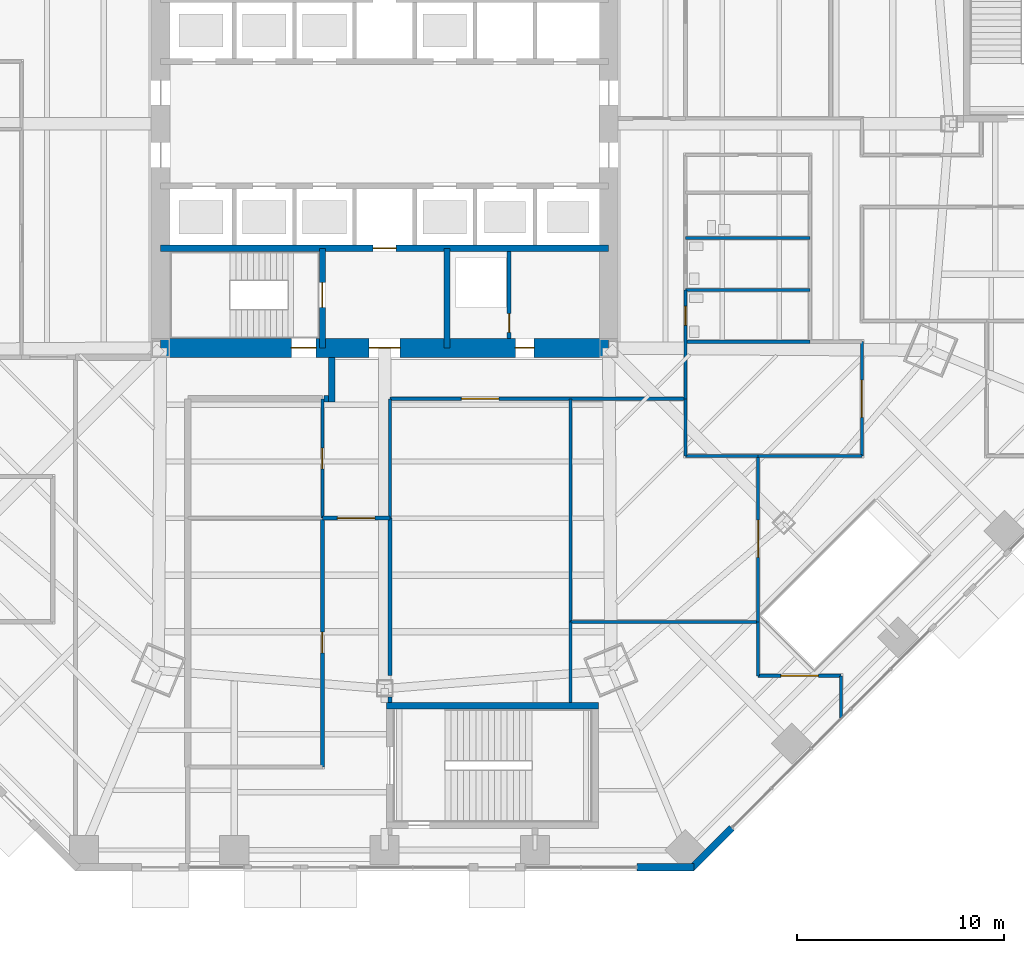
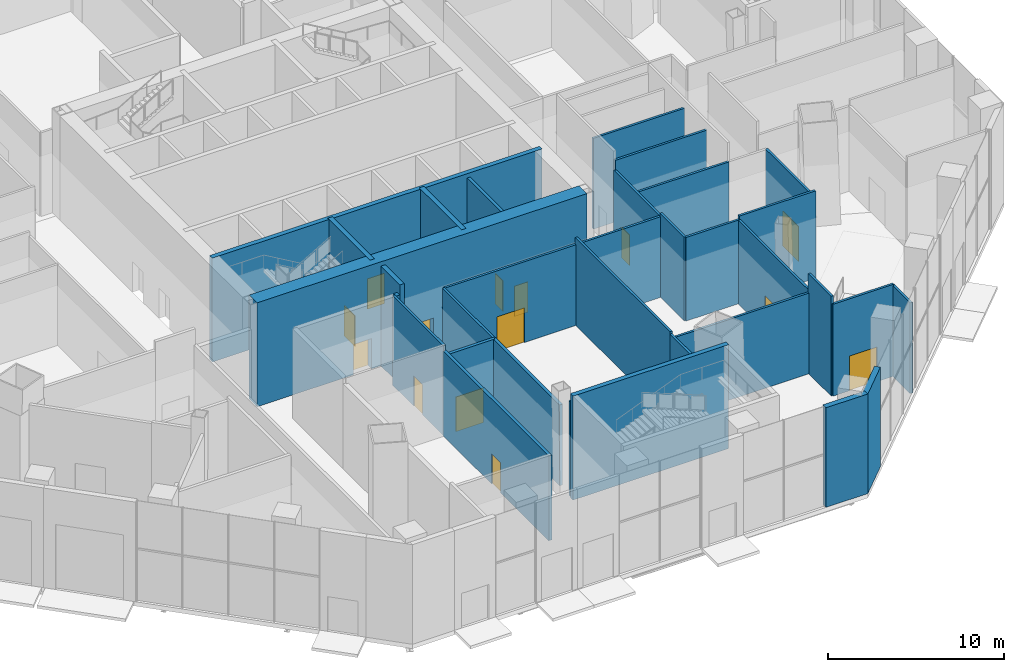
# One storey, part 20 of 35: 32 walls, 14 doors, 14 openings.
"""IFC4 building model written with IfcOpenShell, lengths in metres."""

from ifc_helpers import new_model, si_unit, direction, frame, frame_2d, origin, place, context, subcontext, project, spatial, rectangle, extrude, material, layer, layer_set, type_object, element, fill, save


model = new_model("IFC4")

# Units and contexts
model_context = context("Model", 3, precision=1e-05, world=origin(), true_north=direction((0.0, 1.0)))
body_context = subcontext(model_context, "Body", "Model", "MODEL_VIEW")
ifc_project = project(units=[si_unit("LENGTHUNIT", "METRE"), si_unit("AREAUNIT", "SQUARE_METRE"), si_unit("VOLUMEUNIT", "CUBIC_METRE"), si_unit("PLANEANGLEUNIT", "RADIAN"), si_unit("MASSUNIT", "GRAM", prefix="KILO")], contexts=[model_context])

# Site, building, storey
site_placement = place(None, origin())
site = spatial("IfcSite", under=ifc_project, at=site_placement, CompositionType="ELEMENT")
building_placement = place(site_placement, origin())
building = spatial("IfcBuilding", under=site, at=building_placement, Name="Mashrafa Tower", CompositionType="ELEMENT")
storey_placement = place(building_placement, origin())
storey = spatial("IfcBuildingStorey", under=building, at=storey_placement, Name="L00", CompositionType="ELEMENT", Elevation=0.0)

# Wall, opening, door
ifc_material_1 = material(Name="Concrete masonry unit", Category="masonry")
ifc_layer_1 = layer(ifc_material_1, 0.199951171875)
ifc_layer_set_1 = layer_set([ifc_layer_1], Name="Blockwork wall 200 2 hr")
wall_type_1 = type_object("IfcWallType", Name="Blockwork wall 200 2 hr", PredefinedType="PARTITIONING", material=ifc_layer_set_1)
wall_1_placement = place(storey_placement, frame((6.0, -10.35009765625, 0.0), z_axis=(0.0, 0.0, 1.0), x_axis=(0.0, 1.0, 0.0)))
wall_1 = element("IfcWall", 1, at=wall_1_placement, inside=storey, type_object=wall_type_1, Name="Riser enclosure wall L00", PredefinedType="PARTITIONING", context=body_context, shape_type="SweptSolid", body=[
    extrude(rectangle(XDim=4.2001953125, YDim=0.199951171875, at=frame_2d((2.10009765625, 0.0))), origin(), (0.0, 0.0, 1.0), 6.89990234375),
])
opening_1_placement = place(wall_1_placement, frame((0.300048828125, 0.0, 0.0)))
opening_1 = element("IfcOpeningElement", 2, at=opening_1_placement, cuts=wall_1, Name="Opening 00.044", PredefinedType="OPENING", context=body_context, shape_type="SweptSolid", body=[
    extrude(rectangle(XDim=0.89990234375, YDim=2.10009765625, at=frame_2d((0.449951171875, 1.050048828125))), frame((0.0, 0.10986328125, 0.0), z_axis=(0.0, -1.0, 0.0), x_axis=(1.0, 0.0, 0.0)), (0.0, 0.0, 1.0), 0.219970703125),
])
ifc_material_2 = material(Name="Steel door", Category="steel")
door_type_1 = type_object("IfcDoorType", Name="Service door 900 x 2100 90 min", OperationType="USERDEFINED", PredefinedType="DOOR", material=ifc_material_2)
door_1_placement = place(opening_1_placement, origin())
door_1 = element("IfcDoor", 3, at=door_1_placement, inside=storey, type_object=door_type_1, Name="Riser door L00", OperationType="SINGLE_SWING_LEFT", OverallHeight=2.10009765625, OverallWidth=0.89990234375, PredefinedType="DOOR", context=body_context, shape_type="SweptSolid", body=[
    extrude(rectangle(XDim=0.89990234375, YDim=2.10009765625, at=frame_2d((0.449951171875, 1.050048828125))), frame((0.0, 0.02490234375, 0.0), z_axis=(0.0, -1.0, 0.0), x_axis=(1.0, 0.0, 0.0)), (0.0, 0.0, 1.0), 0.050048828125),
])
fill(opening_1, door_1)

ifc_material_3 = material(Name="Concrete C60/75", Category="concrete")
ifc_layer_2 = layer(ifc_material_3, 0.300048828125)
ifc_layer_set_2 = layer_set([ifc_layer_2], Name="Core wall 300 C60/75")
wall_type_2 = type_object("IfcWallType", Name="Core wall 300 C60/75", PredefinedType="SOLIDWALL", material=ifc_layer_set_2)
wall_2_placement = place(storey_placement, frame((-10.800048828125, -6.0, 0.0), z_axis=(0.0, 0.0, 1.0), x_axis=(1.0, 0.0, 0.0)))
wall_2 = element("IfcWall", 4, at=wall_2_placement, inside=storey, type_object=wall_type_2, Name="Core wall CB-S L00", PredefinedType="SOLIDWALL", context=body_context, shape_type="SweptSolid", body=[
    extrude(rectangle(XDim=21.60009765625, YDim=0.300048828125, at=frame_2d((10.800048828125, 0.0))), origin(), (0.0, 0.0, 1.0), 7.199951171875),
])
opening_2_placement = place(wall_2_placement, frame((10.25, 0.0, 0.0)))
opening_2 = element("IfcOpeningElement", 5, at=opening_2_placement, cuts=wall_2, Name="Opening 00.F2", PredefinedType="OPENING", context=body_context, shape_type="SweptSolid", body=[
    extrude(rectangle(XDim=1.10009765625, YDim=2.10009765625, at=frame_2d((0.550048828125, 1.050048828125))), frame((0.0, 0.159912109375, 0.0), z_axis=(0.0, -1.0, 0.0), x_axis=(1.0, 0.0, 0.0)), (0.0, 0.0, 1.0), 0.320068359375),
])
ifc_material_4 = material(Name="Steel door", Category="steel")
door_type_2 = type_object("IfcDoorType", Name="Lift landing door 1100 x 2100 90 min", OperationType="DOUBLE_DOOR_SLIDING", PredefinedType="DOOR", material=ifc_material_4)
door_2_placement = place(opening_2_placement, origin())
door_2 = element("IfcDoor", 6, at=door_2_placement, inside=storey, type_object=door_type_2, Name="Lift landing door F2 L00", OperationType="DOUBLE_DOOR_SLIDING", OverallHeight=2.10009765625, OverallWidth=1.10009765625, PredefinedType="DOOR", context=body_context, shape_type="SweptSolid", body=[
    extrude(rectangle(XDim=1.10009765625, YDim=2.10009765625, at=frame_2d((0.550048828125, 1.050048828125))), frame((0.0, 0.02490234375, 0.0), z_axis=(0.0, -1.0, 0.0), x_axis=(1.0, 0.0, 0.0)), (0.0, 0.0, 1.0), 0.050048828125),
])
fill(opening_2, door_2)

wall_3_placement = place(storey_placement, frame((-3.0, -6.0, 0.0), z_axis=(0.0, 0.0, 1.0), x_axis=(0.0, -1.0, 0.0)))
wall_3 = element("IfcWall", 7, at=wall_3_placement, inside=storey, type_object=wall_type_2, Name="Core wall CX-SW L00", PredefinedType="SOLIDWALL", context=body_context, shape_type="SweptSolid", body=[
    extrude(rectangle(XDim=4.800048828125, YDim=0.300048828125, at=frame_2d((2.39990234375, 0.0))), origin(), (0.0, 0.0, 1.0), 7.199951171875),
])
opening_3_placement = place(wall_3_placement, frame((1.64990234375, 0.0, 0.0)))
opening_3 = element("IfcOpeningElement", 8, at=opening_3_placement, cuts=wall_3, Name="Opening 00.039", PredefinedType="OPENING", context=body_context, shape_type="SweptSolid", body=[
    extrude(rectangle(XDim=1.199951171875, YDim=2.10009765625, at=frame_2d((0.60009765625, 1.050048828125))), frame((0.0, 0.159912109375, 0.0), z_axis=(0.0, -1.0, 0.0), x_axis=(1.0, 0.0, 0.0)), (0.0, 0.0, 1.0), 0.320068359375),
])
ifc_material_5 = material(Name="Steel door", Category="steel")
door_type_3 = type_object("IfcDoorType", Name="Stair door 1200 x 2100 90 min", OperationType="USERDEFINED", PredefinedType="DOOR", material=ifc_material_5)
door_3_placement = place(opening_3_placement, frame((1.199951171875, 0.0, 0.0), z_axis=(0.0, 0.0, 1.0), x_axis=(-1.0, 0.0, 0.0)))
door_3 = element("IfcDoor", 9, at=door_3_placement, inside=storey, type_object=door_type_3, Name="Stair S3 door L00", OperationType="SINGLE_SWING_RIGHT", OverallHeight=2.10009765625, OverallWidth=1.199951171875, PredefinedType="DOOR", context=body_context, shape_type="SweptSolid", body=[
    extrude(rectangle(XDim=1.199951171875, YDim=2.10009765625, at=frame_2d((0.60009765625, 1.050048828125))), frame((0.0, 0.02490234375, 0.0), z_axis=(0.0, -1.0, 0.0), x_axis=(1.0, 0.0, 0.0)), (0.0, 0.0, 1.0), 0.050048828125),
])
fill(opening_3, door_3)

# Wall
wall_4_placement = place(storey_placement, frame((3.0, -6.0, 0.0), z_axis=(0.0, 0.0, 1.0), x_axis=(0.0, -1.0, 0.0)))
element("IfcWall", 10, at=wall_4_placement, inside=storey, type_object=wall_type_2, Name="Core wall CX-SE L00", PredefinedType="SOLIDWALL", context=body_context, shape_type="SweptSolid", body=[
    extrude(rectangle(XDim=4.800048828125, YDim=0.300048828125, at=frame_2d((2.39990234375, 0.0))), origin(), (0.0, 0.0, 1.0), 7.199951171875),
])

# Wall, openings, doors
ifc_material_6 = material(Name="Concrete C60/75", Category="concrete")
ifc_layer_3 = layer(ifc_material_6, 0.89990234375)
ifc_layer_set_3 = layer_set([ifc_layer_3], Name="Core wall 900 C60/75")
wall_type_3 = type_object("IfcWallType", Name="Core wall 900 C60/75", PredefinedType="SOLIDWALL", material=ifc_layer_set_3)
wall_5_placement = place(storey_placement, frame((-10.800048828125, -10.800048828125, 0.0), z_axis=(0.0, 0.0, 1.0), x_axis=(1.0, 0.0, 0.0)))
wall_5 = element("IfcWall", 11, at=wall_5_placement, inside=storey, type_object=wall_type_3, Name="Core wall CW-S L00", PredefinedType="SOLIDWALL", context=body_context, shape_type="SweptSolid", body=[
    extrude(rectangle(XDim=21.60009765625, YDim=0.89990234375, at=frame_2d((10.800048828125, 0.0))), origin(), (0.0, 0.0, 1.0), 7.199951171875),
])
opening_4_placement = place(wall_5_placement, frame((10.050048828125, 0.0, 0.0)))
opening_4 = element("IfcOpeningElement", 12, at=opening_4_placement, cuts=wall_5, Name="Opening 00.036", PredefinedType="OPENING", context=body_context, shape_type="SweptSolid", body=[
    extrude(rectangle(XDim=1.5, YDim=2.10009765625, at=frame_2d((0.75, 1.050048828125))), frame((0.0, 0.4599609375, 0.0), z_axis=(0.0, -1.0, 0.0), x_axis=(1.0, 0.0, 0.0)), (0.0, 0.0, 1.0), 0.919921875),
])
opening_5_placement = place(wall_5_placement, frame((6.300048828125, 0.0, 0.0)))
opening_5 = element("IfcOpeningElement", 13, at=opening_5_placement, cuts=wall_5, Name="Opening 00.042", PredefinedType="OPENING", context=body_context, shape_type="SweptSolid", body=[
    extrude(rectangle(XDim=1.199951171875, YDim=2.10009765625, at=frame_2d((0.60009765625, 1.050048828125))), frame((0.0, 0.4599609375, 0.0), z_axis=(0.0, -1.0, 0.0), x_axis=(1.0, 0.0, 0.0)), (0.0, 0.0, 1.0), 0.919921875),
])
opening_6_placement = place(wall_5_placement, frame((17.10009765625, 0.0, 0.0)))
opening_6 = element("IfcOpeningElement", 14, at=opening_6_placement, cuts=wall_5, Name="Opening 00.043", PredefinedType="OPENING", context=body_context, shape_type="SweptSolid", body=[
    extrude(rectangle(XDim=0.89990234375, YDim=2.10009765625, at=frame_2d((0.449951171875, 1.050048828125))), frame((0.0, 0.4599609375, 0.0), z_axis=(0.0, -1.0, 0.0), x_axis=(1.0, 0.0, 0.0)), (0.0, 0.0, 1.0), 0.919921875),
])
ifc_material_7 = material(Name="Steel door", Category="steel")
door_type_4 = type_object("IfcDoorType", Name="Lobby door pair 1500 x 2100 90 min", OperationType="DOUBLE_DOOR_SINGLE_SWING", PredefinedType="DOOR", material=ifc_material_7)
door_4_placement = place(opening_4_placement, frame((1.5, 0.0, 0.0), z_axis=(0.0, 0.0, 1.0), x_axis=(-1.0, 0.0, 0.0)))
door_4 = element("IfcDoor", 15, at=door_4_placement, inside=storey, type_object=door_type_4, Name="Fire-fighting lobby F2 door L00", OperationType="DOUBLE_DOOR_SINGLE_SWING", OverallHeight=2.10009765625, OverallWidth=1.5, PredefinedType="DOOR", context=body_context, shape_type="SweptSolid", body=[
    extrude(rectangle(XDim=1.5, YDim=2.10009765625, at=frame_2d((0.75, 1.050048828125))), frame((0.0, 0.02490234375, 0.0), z_axis=(0.0, -1.0, 0.0), x_axis=(1.0, 0.0, 0.0)), (0.0, 0.0, 1.0), 0.050048828125),
])
fill(opening_4, door_4)
door_5_placement = place(opening_6_placement, origin())
door_5 = element("IfcDoor", 16, at=door_5_placement, inside=storey, type_object=door_type_1, Name="Security Equipment Room L00 door", OperationType="SINGLE_SWING_LEFT", OverallHeight=2.10009765625, OverallWidth=0.89990234375, PredefinedType="DOOR", context=body_context, shape_type="SweptSolid", body=[
    extrude(rectangle(XDim=0.89990234375, YDim=2.10009765625, at=frame_2d((0.449951171875, 1.050048828125))), frame((0.0, 0.02490234375, 0.0), z_axis=(0.0, -1.0, 0.0), x_axis=(1.0, 0.0, 0.0)), (0.0, 0.0, 1.0), 0.050048828125),
])
fill(opening_6, door_5)
door_6_placement = place(opening_5_placement, origin())
door_6 = element("IfcDoor", 17, at=door_6_placement, inside=storey, type_object=door_type_3, Name="Stair S3 exit passage door L00", OperationType="SINGLE_SWING_RIGHT", OverallHeight=2.10009765625, OverallWidth=1.199951171875, PredefinedType="DOOR", context=body_context, shape_type="SweptSolid", body=[
    extrude(rectangle(XDim=1.199951171875, YDim=2.10009765625, at=frame_2d((0.60009765625, 1.050048828125))), frame((0.0, 0.02490234375, 0.0), z_axis=(0.0, -1.0, 0.0), x_axis=(1.0, 0.0, 0.0)), (0.0, 0.0, 1.0), 0.050048828125),
])
fill(opening_5, door_6)

# Wall, opening, door
ifc_material_8 = material(Name="Gypsum board on steel studs", Category="steel")
ifc_layer_4 = layer(ifc_material_8, 0.14990234375)
ifc_layer_set_4 = layer_set([ifc_layer_4], Name="Corridor partition 150 1 hr")
wall_type_4 = type_object("IfcWallType", Name="Corridor partition 150 1 hr", PredefinedType="PARTITIONING", material=ifc_layer_set_4)
wall_6_placement = place(storey_placement, frame((14.5, -8.0, 0.0), z_axis=(0.0, 0.0, 1.0), x_axis=(0.0, -1.0, 0.0)))
wall_6 = element("IfcWall", 18, at=wall_6_placement, inside=storey, type_object=wall_type_4, Name="Corridor wall L00-027", PredefinedType="PARTITIONING", context=body_context, shape_type="SweptSolid", body=[
    extrude(rectangle(XDim=5.2509765625, YDim=0.14990234375, at=frame_2d((2.62548828125, 0.0))), origin(), (0.0, 0.0, 1.0), 5.590087890625),
])
opening_7_placement = place(wall_6_placement, frame((0.800048828125, 0.0, 0.0)))
opening_7 = element("IfcOpeningElement", 19, at=opening_7_placement, cuts=wall_6, Name="Opening 00.001", PredefinedType="OPENING", context=body_context, shape_type="SweptSolid", body=[
    extrude(rectangle(XDim=0.89990234375, YDim=2.10009765625, at=frame_2d((0.449951171875, 1.050048828125))), frame((0.0, 0.0849609375, 0.0), z_axis=(0.0, -1.0, 0.0), x_axis=(1.0, 0.0, 0.0)), (0.0, 0.0, 1.0), 0.169921875),
])
ifc_material_9 = material(Name="Timber door", Category="wood")
door_type_5 = type_object("IfcDoorType", Name="Toilet door 900 x 2100", OperationType="USERDEFINED", PredefinedType="DOOR", material=ifc_material_9)
door_7_placement = place(opening_7_placement, origin())
door_7 = element("IfcDoor", 20, at=door_7_placement, inside=storey, type_object=door_type_5, Name="WC Female L00 door", OperationType="SINGLE_SWING_RIGHT", OverallHeight=2.10009765625, OverallWidth=0.89990234375, PredefinedType="DOOR", context=body_context, shape_type="SweptSolid", body=[
    extrude(rectangle(XDim=0.89990234375, YDim=2.10009765625, at=frame_2d((0.449951171875, 1.050048828125))), frame((0.0, 0.02490234375, 0.0), z_axis=(0.0, -1.0, 0.0), x_axis=(1.0, 0.0, 0.0)), (0.0, 0.0, 1.0), 0.050048828125),
])
fill(opening_7, door_7)

wall_7_placement = place(storey_placement, frame((-3.0, -19.0, 0.0), z_axis=(0.0, 0.0, 1.0), x_axis=(0.0, 1.0, 0.0)))
wall_7 = element("IfcWall", 21, at=wall_7_placement, inside=storey, type_object=wall_type_4, Name="Corridor wall L00-064", PredefinedType="PARTITIONING", context=body_context, shape_type="SweptSolid", body=[
    extrude(rectangle(XDim=5.75, YDim=0.14990234375, at=frame_2d((2.875, 0.0))), origin(), (0.0, 0.0, 1.0), 6.2119140625),
])
opening_8_placement = place(wall_7_placement, frame((2.375, 0.0, 0.0)))
opening_8 = element("IfcOpeningElement", 22, at=opening_8_placement, cuts=wall_7, Name="Opening 00.014", PredefinedType="OPENING", context=body_context, shape_type="SweptSolid", body=[
    extrude(rectangle(XDim=1.0, YDim=2.10009765625, at=frame_2d((0.5, 1.050048828125))), frame((0.0, 0.0849609375, 0.0), z_axis=(0.0, -1.0, 0.0), x_axis=(1.0, 0.0, 0.0)), (0.0, 0.0, 1.0), 0.169921875),
])
ifc_material_10 = material(Name="Timber door", Category="wood")
door_type_6 = type_object("IfcDoorType", Name="Door 1000 x 2100", OperationType="USERDEFINED", PredefinedType="DOOR", material=ifc_material_10)
door_8_placement = place(opening_8_placement, origin())
door_8 = element("IfcDoor", 23, at=door_8_placement, inside=storey, type_object=door_type_6, Name="Residents' Mail Room L00 door", OperationType="SINGLE_SWING_LEFT", OverallHeight=2.10009765625, OverallWidth=1.0, PredefinedType="DOOR", context=body_context, shape_type="SweptSolid", body=[
    extrude(rectangle(XDim=1.0, YDim=2.10009765625, at=frame_2d((0.5, 1.050048828125))), frame((0.0, 0.02490234375, 0.0), z_axis=(0.0, -1.0, 0.0), x_axis=(1.0, 0.0, 0.0)), (0.0, 0.0, 1.0), 0.050048828125),
])
fill(opening_8, door_8)

wall_8_placement = place(storey_placement, frame((0.25, -13.25, 0.0), z_axis=(0.0, 0.0, 1.0), x_axis=(1.0, 0.0, 0.0)))
wall_8 = element("IfcWall", 24, at=wall_8_placement, inside=storey, type_object=wall_type_4, Name="Corridor wall L00-093", PredefinedType="PARTITIONING", context=body_context, shape_type="SweptSolid", body=[
    extrude(rectangle(XDim=14.25, YDim=0.14990234375, at=frame_2d((7.125, 0.0))), origin(), (0.0, 0.0, 1.0), 5.590087890625),
])
opening_9_placement = place(wall_8_placement, frame((3.449951171875, 0.0, 0.0)))
opening_9 = element("IfcOpeningElement", 25, at=opening_9_placement, cuts=wall_8, Name="Opening 00.021", PredefinedType="OPENING", context=body_context, shape_type="SweptSolid", body=[
    extrude(rectangle(XDim=1.800048828125, YDim=2.39990234375, at=frame_2d((0.89990234375, 1.199951171875))), frame((0.0, 0.0849609375, 0.0), z_axis=(0.0, -1.0, 0.0), x_axis=(1.0, 0.0, 0.0)), (0.0, 0.0, 1.0), 0.169921875),
])
ifc_material_11 = material(Name="Timber door", Category="wood")
door_type_7 = type_object("IfcDoorType", Name="Door pair 1800 x 2400", OperationType="DOUBLE_DOOR_SINGLE_SWING", PredefinedType="DOOR", material=ifc_material_11)
door_9_placement = place(opening_9_placement, frame((1.800048828125, 0.0, 0.0), z_axis=(0.0, 0.0, 1.0), x_axis=(-1.0, 0.0, 0.0)))
door_9 = element("IfcDoor", 26, at=door_9_placement, inside=storey, type_object=door_type_7, Name="Bank Branch L00 door", OperationType="DOUBLE_DOOR_SINGLE_SWING", OverallHeight=2.39990234375, OverallWidth=1.800048828125, PredefinedType="DOOR", context=body_context, shape_type="SweptSolid", body=[
    extrude(rectangle(XDim=1.800048828125, YDim=2.39990234375, at=frame_2d((0.89990234375, 1.199951171875))), frame((0.0, 0.02490234375, 0.0), z_axis=(0.0, -1.0, 0.0), x_axis=(1.0, 0.0, 0.0)), (0.0, 0.0, 1.0), 0.050048828125),
])
fill(opening_9, door_9)

# Walls
wall_9_placement = place(storey_placement, frame((0.25, -13.25, 0.0), z_axis=(0.0, 0.0, 1.0), x_axis=(0.0, -1.0, 0.0)))
element("IfcWall", 27, at=wall_9_placement, inside=storey, type_object=wall_type_4, Name="Corridor wall L00-094", PredefinedType="PARTITIONING", context=body_context, shape_type="SweptSolid", body=[
    extrude(rectangle(XDim=5.7509765625, YDim=0.14990234375, at=frame_2d((2.87548828125, 0.0))), origin(), (0.0, 0.0, 1.0), 5.590087890625),
])
wall_10_placement = place(storey_placement, frame((22.0, -28.640380859375, 0.0), z_axis=(0.0, 0.0, 1.0), x_axis=(0.0, 1.0, 0.0)))
element("IfcWall", 28, at=wall_10_placement, inside=storey, type_object=wall_type_4, Name="Corridor wall L00-096", PredefinedType="PARTITIONING", context=body_context, shape_type="SweptSolid", body=[
    extrude(rectangle(XDim=2.040283203125, YDim=0.14990234375, at=frame_2d((1.02001953125, 0.0))), origin(), (0.0, 0.0, 1.0), 6.29052734375),
])

# Wall, opening, door
wall_11_placement = place(storey_placement, frame((22.0, -26.60009765625, 0.0), z_axis=(0.0, 0.0, 1.0), x_axis=(-1.0, 0.0, 0.0)))
wall_11 = element("IfcWall", 29, at=wall_11_placement, inside=storey, type_object=wall_type_4, Name="Corridor wall L00-097", PredefinedType="PARTITIONING", context=body_context, shape_type="SweptSolid", body=[
    extrude(rectangle(XDim=4.0, YDim=0.14990234375, at=frame_2d((2.0, 0.0))), origin(), (0.0, 0.0, 1.0), 6.3642578125),
])
opening_10_placement = place(wall_11_placement, frame((1.10009765625, 0.0, 0.0)))
opening_10 = element("IfcOpeningElement", 30, at=opening_10_placement, cuts=wall_11, Name="Opening 00.022", PredefinedType="OPENING", context=body_context, shape_type="SweptSolid", body=[
    extrude(rectangle(XDim=1.800048828125, YDim=2.39990234375, at=frame_2d((0.89990234375, 1.199951171875))), frame((0.0, 0.0849609375, 0.0), z_axis=(0.0, -1.0, 0.0), x_axis=(1.0, 0.0, 0.0)), (0.0, 0.0, 1.0), 0.169921875),
])
door_10_placement = place(opening_10_placement, frame((1.800048828125, 0.0, 0.0), z_axis=(0.0, 0.0, 1.0), x_axis=(-1.0, 0.0, 0.0)))
door_10 = element("IfcDoor", 31, at=door_10_placement, inside=storey, type_object=door_type_7, Name="Cafe L00 door", OperationType="DOUBLE_DOOR_SINGLE_SWING", OverallHeight=2.39990234375, OverallWidth=1.800048828125, PredefinedType="DOOR", context=body_context, shape_type="SweptSolid", body=[
    extrude(rectangle(XDim=1.800048828125, YDim=2.39990234375, at=frame_2d((0.89990234375, 1.199951171875))), frame((0.0, 0.02490234375, 0.0), z_axis=(0.0, -1.0, 0.0), x_axis=(1.0, 0.0, 0.0)), (0.0, 0.0, 1.0), 0.050048828125),
])
fill(opening_10, door_10)

# Wall
wall_12_placement = place(storey_placement, frame((18.0, -26.60009765625, 0.0), z_axis=(0.0, 0.0, 1.0), x_axis=(0.0, 1.0, 0.0)))
element("IfcWall", 32, at=wall_12_placement, inside=storey, type_object=wall_type_4, Name="Corridor wall L00-098", PredefinedType="PARTITIONING", context=body_context, shape_type="SweptSolid", body=[
    extrude(rectangle(XDim=2.60009765625, YDim=0.14990234375, at=frame_2d((1.300048828125, 0.0))), origin(), (0.0, 0.0, 1.0), 6.89990234375),
])

# Wall, opening, door
wall_13_placement = place(storey_placement, frame((18.0, -24.0, 0.0), z_axis=(0.0, 0.0, 1.0), x_axis=(0.0, 1.0, 0.0)))
wall_13 = element("IfcWall", 33, at=wall_13_placement, inside=storey, type_object=wall_type_4, Name="Corridor wall L00-102", PredefinedType="PARTITIONING", context=body_context, shape_type="SweptSolid", body=[
    extrude(rectangle(XDim=8.0, YDim=0.14990234375, at=frame_2d((4.0, 0.0))), origin(), (0.0, 0.0, 1.0), 5.7900390625),
])
opening_11_placement = place(wall_13_placement, frame((3.10009765625, 0.0, 0.0)))
opening_11 = element("IfcOpeningElement", 34, at=opening_11_placement, cuts=wall_13, Name="Opening 00.023", PredefinedType="OPENING", context=body_context, shape_type="SweptSolid", body=[
    extrude(rectangle(XDim=1.800048828125, YDim=2.39990234375, at=frame_2d((0.89990234375, 1.199951171875))), frame((0.0, 0.0849609375, 0.0), z_axis=(0.0, -1.0, 0.0), x_axis=(1.0, 0.0, 0.0)), (0.0, 0.0, 1.0), 0.169921875),
])
door_11_placement = place(opening_11_placement, origin())
door_11 = element("IfcDoor", 35, at=door_11_placement, inside=storey, type_object=door_type_7, Name="Retail Unit 004 door", OperationType="DOUBLE_DOOR_SINGLE_SWING", OverallHeight=2.39990234375, OverallWidth=1.800048828125, PredefinedType="DOOR", context=body_context, shape_type="SweptSolid", body=[
    extrude(rectangle(XDim=1.800048828125, YDim=2.39990234375, at=frame_2d((0.89990234375, 1.199951171875))), frame((0.0, 0.02490234375, 0.0), z_axis=(0.0, -1.0, 0.0), x_axis=(1.0, 0.0, 0.0)), (0.0, 0.0, 1.0), 0.050048828125),
])
fill(opening_11, door_11)

# Wall
wall_14_placement = place(storey_placement, frame((17.9990234375, -16.0, 0.0), z_axis=(0.0, 0.0, 1.0), x_axis=(1.0, 0.0, 0.0)))
element("IfcWall", 36, at=wall_14_placement, inside=storey, type_object=wall_type_4, Name="Corridor wall L00-104", PredefinedType="PARTITIONING", context=body_context, shape_type="SweptSolid", body=[
    extrude(rectangle(XDim=5.0009765625, YDim=0.14990234375, at=frame_2d((2.50048828125, 0.0))), origin(), (0.0, 0.0, 1.0), 6.04931640625),
])

# Wall, opening, door
wall_15_placement = place(storey_placement, frame((23.0, -16.0, 0.0), z_axis=(0.0, 0.0, 1.0), x_axis=(0.0, 1.0, 0.0)))
wall_15 = element("IfcWall", 37, at=wall_15_placement, inside=storey, type_object=wall_type_4, Name="Corridor wall L00-105", PredefinedType="PARTITIONING", context=body_context, shape_type="SweptSolid", body=[
    extrude(rectangle(XDim=5.5, YDim=0.14990234375, at=frame_2d((2.75, 0.0))), origin(), (0.0, 0.0, 1.0), 5.590087890625),
])
opening_12_placement = place(wall_15_placement, frame((1.85009765625, 0.0, 0.0)))
opening_12 = element("IfcOpeningElement", 38, at=opening_12_placement, cuts=wall_15, Name="Opening 00.024", PredefinedType="OPENING", context=body_context, shape_type="SweptSolid", body=[
    extrude(rectangle(XDim=1.800048828125, YDim=2.39990234375, at=frame_2d((0.89990234375, 1.199951171875))), frame((0.0, 0.0849609375, 0.0), z_axis=(0.0, -1.0, 0.0), x_axis=(1.0, 0.0, 0.0)), (0.0, 0.0, 1.0), 0.169921875),
])
door_12_placement = place(opening_12_placement, origin())
door_12 = element("IfcDoor", 39, at=door_12_placement, inside=storey, type_object=door_type_7, Name="Retail Unit 005 door", OperationType="DOUBLE_DOOR_SINGLE_SWING", OverallHeight=2.39990234375, OverallWidth=1.800048828125, PredefinedType="DOOR", context=body_context, shape_type="SweptSolid", body=[
    extrude(rectangle(XDim=1.800048828125, YDim=2.39990234375, at=frame_2d((0.89990234375, 1.199951171875))), frame((0.0, 0.02490234375, 0.0), z_axis=(0.0, -1.0, 0.0), x_axis=(1.0, 0.0, 0.0)), (0.0, 0.0, 1.0), 0.050048828125),
])
fill(opening_12, door_12)

# Walls
ifc_material_12 = material(Name="Concrete masonry unit", Category="masonry")
ifc_layer_5 = layer(ifc_material_12, 0.199951171875)
ifc_layer_set_5 = layer_set([ifc_layer_5], Name="Fire barrier wall 200 1 hr")
wall_type_5 = type_object("IfcWallType", Name="Fire barrier wall 200 1 hr", PredefinedType="PARTITIONING", material=ifc_layer_set_5)
wall_16_placement = place(storey_placement, frame((0.25, -18.9990234375, 0.0), z_axis=(0.0, 0.0, 1.0), x_axis=(0.0, -1.0, 0.0)))
element("IfcWall", 40, at=wall_16_placement, inside=storey, type_object=wall_type_5, Name="Fire wall L00-091", PredefinedType="PARTITIONING", context=body_context, shape_type="SweptSolid", body=[
    extrude(rectangle(XDim=7.5927734375, YDim=0.199951171875, at=frame_2d((3.79638671875, 0.0))), origin(), (0.0, 0.0, 1.0), 5.590087890625),
])
wall_17_placement = place(storey_placement, frame((0.25, -27.6337890625, 0.0), z_axis=(0.0, 0.0, 1.0), x_axis=(0.0, -1.0, 0.0)))
element("IfcWall", 41, at=wall_17_placement, inside=storey, type_object=wall_type_5, Name="Fire wall L00-092", PredefinedType="PARTITIONING", context=body_context, shape_type="SweptSolid", body=[
    extrude(rectangle(XDim=0.2666015625, YDim=0.199951171875, at=frame_2d((0.13330078125, 0.0))), origin(), (0.0, 0.0, 1.0), 6.534423828125),
])

# Wall, opening, door
wall_18_placement = place(storey_placement, frame((-3.0, -31.0, 0.0), z_axis=(0.0, 0.0, 1.0), x_axis=(0.0, 1.0, 0.0)))
wall_18 = element("IfcWall", 42, at=wall_18_placement, inside=storey, type_object=wall_type_5, Name="Fire wall L00-111", PredefinedType="PARTITIONING", context=body_context, shape_type="SweptSolid", body=[
    extrude(rectangle(XDim=12.0, YDim=0.199951171875, at=frame_2d((6.0, 0.0))), origin(), (0.0, 0.0, 1.0), 5.879150390625),
])
opening_13_placement = place(wall_18_placement, frame((5.5, 0.0, 0.0)))
opening_13 = element("IfcOpeningElement", 43, at=opening_13_placement, cuts=wall_18, Name="Opening 00.026", PredefinedType="OPENING", context=body_context, shape_type="SweptSolid", body=[
    extrude(rectangle(XDim=1.0, YDim=2.10009765625, at=frame_2d((0.5, 1.050048828125))), frame((0.0, 0.10986328125, 0.0), z_axis=(0.0, -1.0, 0.0), x_axis=(1.0, 0.0, 0.0)), (0.0, 0.0, 1.0), 0.219970703125),
])
door_13_placement = place(opening_13_placement, origin())
door_13 = element("IfcDoor", 44, at=door_13_placement, inside=storey, type_object=door_type_6, Name="Residents' Concierge Room L00 door", OperationType="SINGLE_SWING_LEFT", OverallHeight=2.10009765625, OverallWidth=1.0, PredefinedType="DOOR", context=body_context, shape_type="SweptSolid", body=[
    extrude(rectangle(XDim=1.0, YDim=2.10009765625, at=frame_2d((0.5, 1.050048828125))), frame((0.0, 0.02490234375, 0.0), z_axis=(0.0, -1.0, 0.0), x_axis=(1.0, 0.0, 0.0)), (0.0, 0.0, 1.0), 0.050048828125),
])
fill(opening_13, door_13)

wall_19_placement = place(storey_placement, frame((0.25, -19.0, 0.0), z_axis=(0.0, 0.0, 1.0), x_axis=(-1.0, 0.0, 0.0)))
wall_19 = element("IfcWall", 45, at=wall_19_placement, inside=storey, type_object=wall_type_5, Name="Fire wall L00-116", PredefinedType="PARTITIONING", context=body_context, shape_type="SweptSolid", body=[
    extrude(rectangle(XDim=3.25, YDim=0.199951171875, at=frame_2d((1.625, 0.0))), origin(), (0.0, 0.0, 1.0), 5.590087890625),
])
opening_14_placement = place(wall_19_placement, frame((0.72509765625, 0.0, 0.0)))
opening_14 = element("IfcOpeningElement", 46, at=opening_14_placement, cuts=wall_19, Name="Opening 00.029", PredefinedType="OPENING", context=body_context, shape_type="SweptSolid", body=[
    extrude(rectangle(XDim=1.800048828125, YDim=2.39990234375, at=frame_2d((0.89990234375, 1.199951171875))), frame((0.0, 0.10986328125, 0.0), z_axis=(0.0, -1.0, 0.0), x_axis=(1.0, 0.0, 0.0)), (0.0, 0.0, 1.0), 0.219970703125),
])
ifc_material_13 = material(Name="Steel door", Category="steel")
door_type_8 = type_object("IfcDoorType", Name="Door pair 1800 x 2400 90 min", OperationType="DOUBLE_DOOR_SINGLE_SWING", PredefinedType="DOOR", material=ifc_material_13)
door_14_placement = place(opening_14_placement, frame((1.800048828125, 0.0, 0.0), z_axis=(0.0, 0.0, 1.0), x_axis=(-1.0, 0.0, 0.0)))
door_14 = element("IfcDoor", 47, at=door_14_placement, inside=storey, type_object=door_type_8, Name="Apartment Lobby door", OperationType="DOUBLE_DOOR_SINGLE_SWING", OverallHeight=2.39990234375, OverallWidth=1.800048828125, PredefinedType="DOOR", context=body_context, shape_type="SweptSolid", body=[
    extrude(rectangle(XDim=1.800048828125, YDim=2.39990234375, at=frame_2d((0.89990234375, 1.199951171875))), frame((0.0, 0.02490234375, 0.0), z_axis=(0.0, -1.0, 0.0), x_axis=(1.0, 0.0, 0.0)), (0.0, 0.0, 1.0), 0.050048828125),
])
fill(opening_14, door_14)

# Walls
ifc_material_14 = material(Name="Riyadh limestone cladding on blockwork", Category="masonry")
ifc_layer_6 = layer(ifc_material_14, 0.35009765625)
ifc_layer_set_6 = layer_set([ifc_layer_6], Name="Limestone-clad external wall 350")
wall_type_6 = type_object("IfcWallType", Name="Limestone-clad external wall 350", PredefinedType="SOLIDWALL", material=ifc_layer_set_6)
for number, where, z_axis, x_axis, name in (
    (48, (12.16650390625, -35.824951171875, 0.0), (0.0, 0.0, 1.0), (1.0, 0.0, 0.0), "Limestone corner pier L00 south bay 11"),
    (49, (14.787841796875, -35.876220703125, 0.0), (0.0, 0.0, 1.0), (0.707106781187, 0.707106781187, 0.0), "Limestone corner pier L00 south-east bay 1"),
):
    element("IfcWall", number, at=place(storey_placement, frame(where, z_axis=z_axis, x_axis=x_axis)), inside=storey, type_object=wall_type_6, Name=name, PredefinedType="SOLIDWALL", context=body_context, shape_type="SweptSolid", body=[
        extrude(rectangle(XDim=2.7451171875, YDim=0.35009765625, at=frame_2d((1.37255859375, 0.0))), origin(), (0.0, 0.0, 1.0), 6.89990234375),
    ])
ifc_material_15 = material(Name="Gypsum board on steel studs", Category="steel")
ifc_layer_7 = layer(ifc_material_15, 0.14990234375)
ifc_layer_set_7 = layer_set([ifc_layer_7], Name="Partition 150")
wall_type_7 = type_object("IfcWallType", Name="Partition 150", PredefinedType="PARTITIONING", material=ifc_layer_set_7)
wall_20_placement = place(storey_placement, frame((20.5, -8.0, 0.0), z_axis=(0.0, 0.0, 1.0), x_axis=(-1.0, 0.0, 0.0)))
element("IfcWall", 50, at=wall_20_placement, inside=storey, type_object=wall_type_7, Name="Partition wall L00-025", PredefinedType="PARTITIONING", context=body_context, shape_type="SweptSolid", body=[
    extrude(rectangle(XDim=6.0, YDim=0.14990234375, at=frame_2d((3.0, 0.0))), origin(), (0.0, 0.0, 1.0), 6.282958984375),
])
wall_21_placement = place(storey_placement, frame((14.5, -10.5, 0.0), z_axis=(0.0, 0.0, 1.0), x_axis=(1.0, 0.0, 0.0)))
element("IfcWall", 51, at=wall_21_placement, inside=storey, type_object=wall_type_7, Name="Partition wall L00-026", PredefinedType="PARTITIONING", context=body_context, shape_type="SweptSolid", body=[
    extrude(rectangle(XDim=6.0, YDim=0.14990234375, at=frame_2d((3.0, 0.0))), origin(), (0.0, 0.0, 1.0), 5.590087890625),
])
wall_22_placement = place(storey_placement, frame((20.5, -5.5, 0.0), z_axis=(0.0, 0.0, 1.0), x_axis=(-1.0, 0.0, 0.0)))
element("IfcWall", 52, at=wall_22_placement, inside=storey, type_object=wall_type_7, Name="Partition wall L00-029", PredefinedType="PARTITIONING", context=body_context, shape_type="SweptSolid", body=[
    extrude(rectangle(XDim=6.0, YDim=0.14990234375, at=frame_2d((3.0, 0.0))), origin(), (0.0, 0.0, 1.0), 6.282958984375),
])
wall_23_placement = place(storey_placement, frame((8.949951171875, -27.900390625, 0.0), z_axis=(0.0, 0.0, 1.0), x_axis=(0.0, 1.0, 0.0)))
element("IfcWall", 53, at=wall_23_placement, inside=storey, type_object=wall_type_7, Name="Partition wall L00-089", PredefinedType="PARTITIONING", context=body_context, shape_type="SweptSolid", body=[
    extrude(rectangle(XDim=3.9013671875, YDim=0.14990234375, at=frame_2d((1.95068359375, 0.0))), origin(), (0.0, 0.0, 1.0), 5.879150390625),
])
wall_24_placement = place(storey_placement, frame((8.949951171875, -24.0009765625, 0.0), z_axis=(0.0, 0.0, 1.0), x_axis=(0.0, 1.0, 0.0)))
element("IfcWall", 54, at=wall_24_placement, inside=storey, type_object=wall_type_7, Name="Partition wall L00-090", PredefinedType="PARTITIONING", context=body_context, shape_type="SweptSolid", body=[
    extrude(rectangle(XDim=10.7509765625, YDim=0.14990234375, at=frame_2d((5.37548828125, 0.0))), origin(), (0.0, 0.0, 1.0), 6.044189453125),
])
wall_25_placement = place(storey_placement, frame((18.0, -24.0, 0.0), z_axis=(0.0, 0.0, 1.0), x_axis=(-1.0, 0.0, 0.0)))
element("IfcWall", 55, at=wall_25_placement, inside=storey, type_object=wall_type_7, Name="Partition wall L00-095", PredefinedType="PARTITIONING", context=body_context, shape_type="SweptSolid", body=[
    extrude(rectangle(XDim=9.050048828125, YDim=0.14990234375, at=frame_2d((4.52490234375, 0.0))), origin(), (0.0, 0.0, 1.0), 5.590087890625),
])
wall_26_placement = place(storey_placement, frame((18.0, -16.0, 0.0), z_axis=(0.0, 0.0, 1.0), x_axis=(-1.0, 0.0, 0.0)))
element("IfcWall", 56, at=wall_26_placement, inside=storey, type_object=wall_type_7, Name="Partition wall L00-099", PredefinedType="PARTITIONING", context=body_context, shape_type="SweptSolid", body=[
    extrude(rectangle(XDim=3.5, YDim=0.14990234375, at=frame_2d((1.75, 0.0))), origin(), (0.0, 0.0, 1.0), 5.7900390625),
])
wall_27_placement = place(storey_placement, frame((14.5, -16.0, 0.0), z_axis=(0.0, 0.0, 1.0), x_axis=(0.0, 1.0, 0.0)))
element("IfcWall", 57, at=wall_27_placement, inside=storey, type_object=wall_type_7, Name="Partition wall L00-100", PredefinedType="PARTITIONING", context=body_context, shape_type="SweptSolid", body=[
    extrude(rectangle(XDim=2.75, YDim=0.14990234375, at=frame_2d((1.375, 0.0))), origin(), (0.0, 0.0, 1.0), 5.7900390625),
])
ifc_material_16 = material(Name="Concrete C35/45", Category="concrete")
ifc_layer_8 = layer(ifc_material_16, 0.300048828125)
ifc_layer_set_8 = layer_set([ifc_layer_8], Name="Stair core wall 300 3 hr")
wall_type_8 = type_object("IfcWallType", Name="Stair core wall 300 3 hr", PredefinedType="SOLIDWALL", material=ifc_layer_set_8)
wall_28_placement = place(storey_placement, frame((10.300048828125, -28.050048828125, 0.0), z_axis=(0.0, 0.0, 1.0), x_axis=(-1.0, 0.0, 0.0)))
element("IfcWall", 58, at=wall_28_placement, inside=storey, type_object=wall_type_8, Name="Stair P4 core wall N L00", PredefinedType="SOLIDWALL", context=body_context, shape_type="SweptSolid", body=[
    extrude(rectangle(XDim=10.199951171875, YDim=0.300048828125, at=frame_2d((5.10009765625, 0.0))), origin(), (0.0, 0.0, 1.0), 7.199951171875),
])
ifc_material_17 = material(Name="Concrete masonry unit", Category="masonry")
ifc_layer_9 = layer(ifc_material_17, 0.300048828125)
ifc_layer_set_9 = layer_set([ifc_layer_9], Name="Stair enclosure wall 300 2 hr")
wall_type_9 = type_object("IfcWallType", Name="Stair enclosure wall 300 2 hr", PredefinedType="PARTITIONING", material=ifc_layer_set_9)
wall_29_placement = place(storey_placement, frame((-2.925048828125, -13.25, 0.0), z_axis=(0.0, 0.0, 1.0), x_axis=(1.0, 0.0, 0.0)))
element("IfcWall", 59, at=wall_29_placement, inside=storey, type_object=wall_type_9, Name="Stair wall L00-016", PredefinedType="PARTITIONING", context=body_context, shape_type="SweptSolid", body=[
    extrude(rectangle(XDim=0.22509765625, YDim=0.300048828125, at=frame_2d((0.112548828125, 0.0))), origin(), (0.0, 0.0, 1.0), 6.2119140625),
])
wall_30_placement = place(storey_placement, frame((-2.550048828125, -13.39990234375, 0.0), z_axis=(0.0, 0.0, 1.0), x_axis=(0.0, 1.0, 0.0)))
element("IfcWall", 60, at=wall_30_placement, inside=storey, type_object=wall_type_9, Name="Stair wall L00-017", PredefinedType="PARTITIONING", context=body_context, shape_type="SweptSolid", body=[
    extrude(rectangle(XDim=2.14990234375, YDim=0.300048828125, at=frame_2d((1.074951171875, 0.0))), origin(), (0.0, 0.0, 1.0), 6.89990234375),
])

save(model, "model.ifc")
